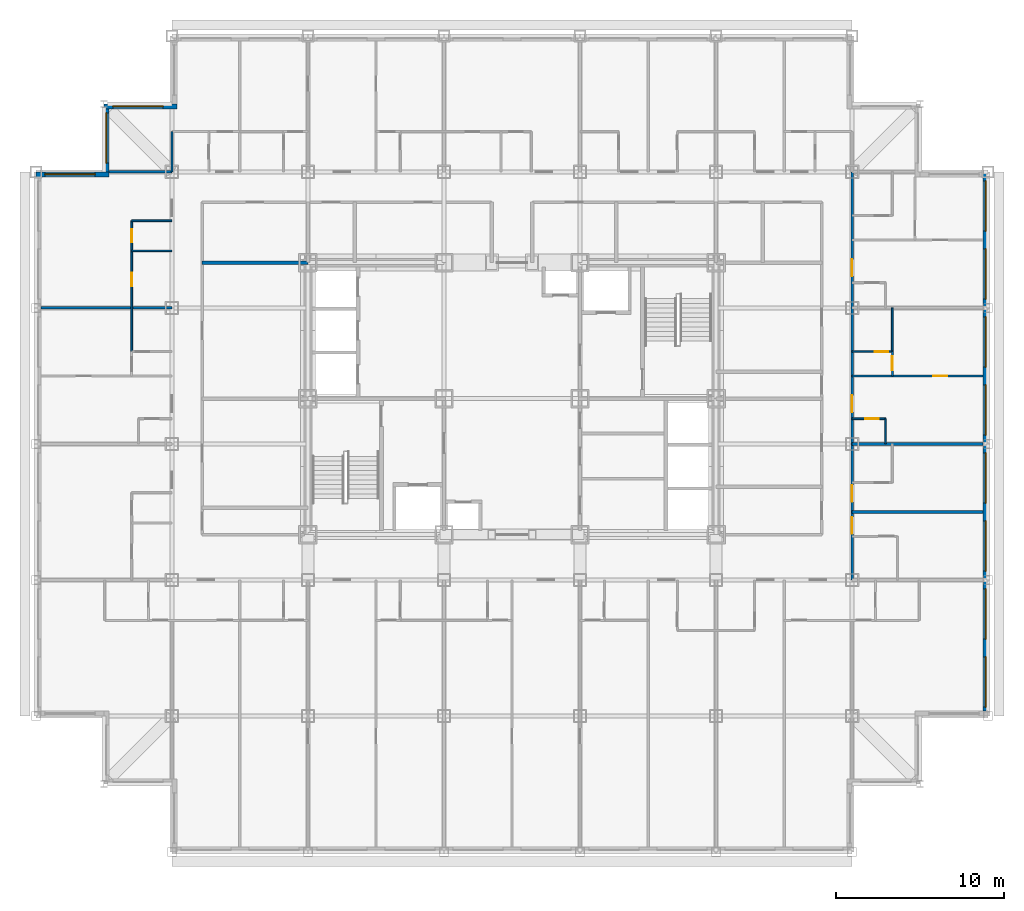
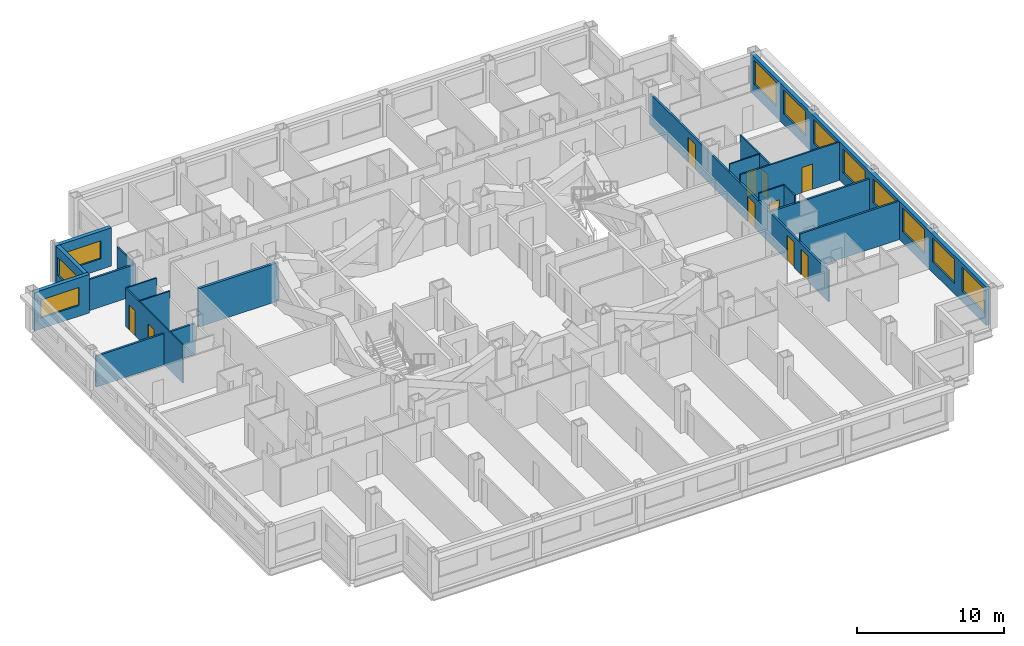
# One storey, part 8 of 13: 20 walls, 11 windows, 10 doors, 21 openings.
"""IFC4 building model written with IfcOpenShell, lengths in metres."""

import ifcopenshell
import ifcopenshell.guid

model = None  # the IFC model being written
_history = None  # IfcOwnerHistory: only IFC2X3 demands one
_inside = {}  # id of a spatial element -> (the spatial element, [elements in it])
_under = {}  # id of a project, library or spatial element -> (it, [spatial elements below it])
_declared = {}  # id of a project -> (the project, [libraries it declares])
_typed = {}  # id of a type object -> (the type object, [elements of that type])
_made_of = {}  # id of a material, layer set ... -> (it, [elements and type objects made of it])


def new_model(schema):
    """Start an empty IFC model of exactly this schema.

    Asked for "IFC4X3", IfcOpenShell would pick the latest addendum, in which some entities
    have other attributes; the version numbers below select the first issue.
    IFC2X3 requires an IfcOwnerHistory on every rooted entity: one is made here for all.
    """
    global model, _history
    if schema == "IFC4X3":
        model = ifcopenshell.file(schema_version=(4, 3, 0, 0))
    else:
        model = ifcopenshell.file(schema=schema)
    _inside.clear()
    _under.clear()
    _declared.clear()
    _typed.clear()
    _made_of.clear()
    _history = None
    if model.schema == "IFC2X3":
        org = make("IfcOrganization", Name="unknown")
        user = make(
            "IfcPersonAndOrganization",
            ThePerson=make("IfcPerson", FamilyName="unknown"),
            TheOrganization=org,
        )
        app = make(
            "IfcApplication",
            ApplicationDeveloper=org,
            Version="unknown",
            ApplicationFullName="unknown",
            ApplicationIdentifier="unknown",
        )
        _history = make(
            "IfcOwnerHistory",
            OwningUser=user,
            OwningApplication=app,
            ChangeAction="ADDED",
            CreationDate=0,
        )
    return model


def make(cls, **values):
    """One entity of the class cls with the attributes given. An attribute that is None is left unset."""
    return model.create_entity(
        cls, **{name: value for name, value in values.items() if value is not None}
    )


def rooted(cls, **values):
    """An entity with a GlobalId (a new one), such as an element, a storey or a relation."""
    return make(cls, GlobalId=ifcopenshell.guid.new(), OwnerHistory=_history, **values)


def si_unit(unit_type, name, prefix=None):
    """IfcSIUnit, for example si_unit("LENGTHUNIT", "METRE", prefix="MILLI")."""
    return make("IfcSIUnit", UnitType=unit_type, Prefix=prefix, Name=name)


def assignment(units):
    """IfcUnitAssignment: the units of a project."""
    return None if units is None else make("IfcUnitAssignment", Units=units)


def point(xyz):
    """IfcCartesianPoint."""
    return None if xyz is None else make("IfcCartesianPoint", Coordinates=xyz)


def direction(xyz):
    """IfcDirection."""
    return None if xyz is None else make("IfcDirection", DirectionRatios=xyz)


def frame(location, z_axis=None, x_axis=None):
    """IfcAxis2Placement3D, a coordinate frame: its origin and axes. An axis left out is left unset."""
    return make(
        "IfcAxis2Placement3D",
        Location=point(location),
        Axis=direction(z_axis),
        RefDirection=direction(x_axis),
    )


def frame_2d(location, x_axis=None):
    """IfcAxis2Placement2D, a coordinate frame in the plane: its origin and x axis."""
    return make(
        "IfcAxis2Placement2D", Location=point(location), RefDirection=direction(x_axis)
    )


def origin():
    """The frame at (0, 0, 0) with its axes left unset."""
    return frame((0.0, 0.0, 0.0))


def place(relative_to, where):
    """IfcLocalPlacement: puts the frame where relative to a parent placement (None: the world)."""
    return make(
        "IfcLocalPlacement", PlacementRelTo=relative_to, RelativePlacement=where
    )


def context(
    kind, dimensions, precision=None, world=None, true_north=None, identifier=None
):
    """IfcGeometricRepresentationContext, for example the 3D "Model" context."""
    return make(
        "IfcGeometricRepresentationContext",
        ContextIdentifier=identifier,
        ContextType=kind,
        CoordinateSpaceDimension=dimensions,
        Precision=precision,
        WorldCoordinateSystem=world,
        TrueNorth=true_north,
    )


def subcontext(parent, identifier, kind, view, scale=None):
    """IfcGeometricRepresentationSubContext, for example "Body" below "Model"."""
    return make(
        "IfcGeometricRepresentationSubContext",
        ContextIdentifier=identifier,
        ContextType=kind,
        ParentContext=parent,
        TargetScale=scale,
        TargetView=view,
    )


def project(units=None, contexts=None):
    """IfcProject with its units and contexts."""
    return rooted(
        "IfcProject",
        Name="project",
        RepresentationContexts=contexts,
        UnitsInContext=assignment(units),
    )


def spatial(cls, under=None, at=None, **own):
    """A site, building, storey or space (cls), placed at a placement, below another one or the project."""
    s = rooted(cls, ObjectPlacement=at, **own)
    if under is not None:
        _under.setdefault(under.id(), (under, []))[1].append(s)
    return s


def profile(cls, at=None, kind="AREA", **sizes):
    """A parametric profile (cls). Its sizes go by their IFC names, for example OverallWidth=200.0."""
    return make(cls, ProfileType=kind, Position=at, **sizes)


def rectangle(**sizes):
    """IfcRectangleProfileDef."""
    return profile("IfcRectangleProfileDef", **sizes)


def extrude(swept, where, along, depth):
    """IfcExtrudedAreaSolid: the profile swept, set in the frame where, extruded along a direction by depth."""
    return make(
        "IfcExtrudedAreaSolid",
        SweptArea=swept,
        Position=where,
        ExtrudedDirection=direction(along),
        Depth=depth,
    )


def shape(context_of_items, identifier, shape_type, items):
    """IfcShapeRepresentation: the items that make up one representation, for example the "Body"."""
    return make(
        "IfcShapeRepresentation",
        ContextOfItems=context_of_items,
        RepresentationIdentifier=identifier,
        RepresentationType=shape_type,
        Items=items,
    )


def material(Name=None, Category=None):
    """IfcMaterial."""
    return make("IfcMaterial", Name=Name, Category=Category)


def layer(
    of_material, thickness, ventilated=None, Name=None, Category=None, Priority=None
):
    """IfcMaterialLayer: one layer of a wall or slab, of a material (None: an air gap)."""
    return make(
        "IfcMaterialLayer",
        Material=of_material,
        LayerThickness=thickness,
        IsVentilated=ventilated,
        Name=Name,
        Category=Category,
        Priority=Priority,
    )


def layer_set(layers, Name=None):
    """IfcMaterialLayerSet."""
    return make("IfcMaterialLayerSet", MaterialLayers=layers, LayerSetName=Name)


def made_of(thing, what):
    """Note that an element or type object is made of a material, layer set ...; save() writes the relation."""
    if what is not None:
        _made_of.setdefault(what.id(), (what, []))[1].append(thing)
    return thing


def type_object(cls, material=None, **own):
    """A type object (cls), such as IfcWallType, which elements share."""
    return made_of(rooted(cls, **own), material)


def element(
    cls,
    number,
    at=None,
    inside=None,
    cuts=None,
    type_object=None,
    material=None,
    context=None,
    identifier="Body",
    shape_type=None,
    held_by="IfcProductDefinitionShape",
    body=None,
    shapes=None,
    **own,
):
    """One element of the class cls, such as IfcWall. Its Tag is "e" and its number.

    at: its placement. inside: the storey or other place that contains it. cuts: it is an
    opening in that element (IfcRelVoidsElement). A single representation is given by context,
    identifier, shape_type and body (its items); several are given by shapes. held_by: the class
    of the entity that holds the representations. save() writes the other relations.
    """
    e = rooted(cls, Tag="e%d" % number, ObjectPlacement=at, **own)
    if body is not None:
        shapes = [shape(context, identifier, shape_type, body)]
    if shapes is not None:
        e.Representation = make(held_by, Representations=shapes)
    if inside is not None:
        _inside.setdefault(inside.id(), (inside, []))[1].append(e)
    if cuts is not None:
        rooted(
            "IfcRelVoidsElement", RelatingBuildingElement=cuts, RelatedOpeningElement=e
        )
    if type_object is not None:
        _typed.setdefault(type_object.id(), (type_object, []))[1].append(e)
    return made_of(e, material)


def fill(opening, filler):
    """IfcRelFillsElement: the door or window that sits in an opening."""
    return rooted(
        "IfcRelFillsElement",
        RelatingOpeningElement=opening,
        RelatedBuildingElement=filler,
    )


def aggregate(whole, parts):
    """IfcRelAggregates: a whole, such as a stair, and the parts it consists of."""
    return rooted("IfcRelAggregates", RelatingObject=whole, RelatedObjects=parts)


def save(model, path):
    """Write the relations noted so far, then the file.

    IfcRelAggregates (storeys below a building ...), IfcRelContainedInSpatialStructure (elements
    in a storey), IfcRelDefinesByType, IfcRelAssociatesMaterial and IfcRelDeclares: one each for
    every whole, place, type object, material and project.
    """
    for whole, parts in _under.values():
        aggregate(whole, parts)
    for where, things in _inside.values():
        rooted(
            "IfcRelContainedInSpatialStructure",
            RelatedElements=things,
            RelatingStructure=where,
        )
    for kind, things in _typed.values():
        rooted("IfcRelDefinesByType", RelatedObjects=things, RelatingType=kind)
    for what, things in _made_of.values():
        rooted("IfcRelAssociatesMaterial", RelatedObjects=things, RelatingMaterial=what)
    for by, libraries in _declared.values():
        rooted("IfcRelDeclares", RelatingContext=by, RelatedDefinitions=libraries)
    model.write(path)


model = new_model("IFC4")

# Units and contexts
model_context = context("Model", 3, precision=1e-05, world=origin(), true_north=direction((0.0, 1.0)))
body_context = subcontext(model_context, "Body", "Model", "MODEL_VIEW")
ifc_project = project(units=[si_unit("LENGTHUNIT", "METRE"), si_unit("AREAUNIT", "SQUARE_METRE"), si_unit("VOLUMEUNIT", "CUBIC_METRE"), si_unit("PLANEANGLEUNIT", "RADIAN"), si_unit("MASSUNIT", "GRAM", prefix="KILO")], contexts=[model_context])

# Site, building, storey
site_placement = place(None, origin())
site = spatial("IfcSite", under=ifc_project, at=site_placement, CompositionType="ELEMENT")
building_placement = place(site_placement, origin())
building = spatial("IfcBuilding", under=site, at=building_placement, Name="Kopane Lantern Tower", CompositionType="ELEMENT")
storey_placement = place(building_placement, frame((0.0, 0.0, 130.60009765625)))
storey = spatial("IfcBuildingStorey", under=building, at=storey_placement, Name="L33", CompositionType="ELEMENT", Elevation=130.60009765625)

# Wall, opening, door
ifc_material_1 = material(Name="Gypsum board on steel studs", Category="steel")
ifc_layer_1 = layer(ifc_material_1, 0.1201171875)
ifc_layer_set_1 = layer_set([ifc_layer_1], Name="APARTMENT INTERNAL WALL 120")
wall_type_1 = type_object("IfcWallType", Name="APARTMENT INTERNAL WALL 120", PredefinedType="PARTITIONING", material=ifc_layer_set_1)
wall_1_placement = place(storey_placement, frame((48.60009765625, 33.75, 0.0), z_axis=(0.0, 0.0, 1.0), x_axis=(1.0, 0.0, 0.0)))
wall_1 = element("IfcWall", 1, at=wall_1_placement, inside=storey, type_object=wall_type_1, Name="Apartment Internal Wall 120 L33", PredefinedType="PARTITIONING", context=body_context, shape_type="SweptSolid", body=[
    extrude(rectangle(XDim=7.7998046875, YDim=0.1201171875, at=frame_2d((3.89990234375, 0.0))), origin(), (0.0, 0.0, 1.0), 3.18994140625),
])
opening_1_placement = place(wall_1_placement, frame((4.824951171875, 0.0, 0.0)))
opening_1 = element("IfcOpeningElement", 2, at=opening_1_placement, cuts=wall_1, Name="Opening L33-060", PredefinedType="OPENING", context=body_context, shape_type="SweptSolid", body=[
    extrude(rectangle(XDim=0.85009765625, YDim=2.10009765625, at=frame_2d((0.425048828125, 1.050048828125))), frame((0.0, 0.070068359375, 0.0), z_axis=(0.0, -1.0, 0.0), x_axis=(1.0, 0.0, 0.0)), (0.0, 0.0, 1.0), 0.14013671875),
])
ifc_material_2 = material(Name="Timber door set", Category="wood")
door_type_1 = type_object("IfcDoorType", Name="DOOR D4 850x2100", OperationType="SINGLE_SWING_LEFT", PredefinedType="DOOR", material=ifc_material_2)
door_1_placement = place(opening_1_placement, origin())
door_1 = element("IfcDoor", 3, at=door_1_placement, inside=storey, type_object=door_type_1, Name="Door L33-060", OperationType="SINGLE_SWING_LEFT", OverallHeight=2.10009765625, OverallWidth=0.85009765625, PredefinedType="DOOR", context=body_context, shape_type="SweptSolid", body=[
    extrude(rectangle(XDim=0.85009765625, YDim=2.10009765625, at=frame_2d((0.425048828125, 1.050048828125))), frame((0.0, 0.02490234375, 0.0), z_axis=(0.0, -1.0, 0.0), x_axis=(1.0, 0.0, 0.0)), (0.0, 0.0, 1.0), 0.050048828125),
])
fill(opening_1, door_1)

wall_2_placement = place(storey_placement, frame((51.0, 35.2099609375, 0.0), z_axis=(0.0, 0.0, 1.0), x_axis=(0.0, -1.0, 0.0)))
wall_2 = element("IfcWall", 4, at=wall_2_placement, inside=storey, type_object=wall_type_1, Name="Apartment Internal Wall 120 L33", PredefinedType="PARTITIONING", context=body_context, shape_type="SweptSolid", body=[
    extrude(rectangle(XDim=1.4599609375, YDim=0.1201171875, at=frame_2d((0.72998046875, 0.0))), origin(), (0.0, 0.0, 1.0), 3.18994140625),
])
opening_2_placement = place(wall_2_placement, frame((0.27490234375, 0.0, 0.0)))
opening_2 = element("IfcOpeningElement", 5, at=opening_2_placement, cuts=wall_2, Name="Opening L33-086", PredefinedType="OPENING", context=body_context, shape_type="SweptSolid", body=[
    extrude(rectangle(XDim=0.85009765625, YDim=2.10009765625, at=frame_2d((0.425048828125, 1.050048828125))), frame((0.0, 0.070068359375, 0.0), z_axis=(0.0, -1.0, 0.0), x_axis=(1.0, 0.0, 0.0)), (0.0, 0.0, 1.0), 0.14013671875),
])
door_2_placement = place(opening_2_placement, origin())
door_2 = element("IfcDoor", 6, at=door_2_placement, inside=storey, type_object=door_type_1, Name="Door L33-086", OperationType="SINGLE_SWING_RIGHT", OverallHeight=2.10009765625, OverallWidth=0.85009765625, PredefinedType="DOOR", context=body_context, shape_type="SweptSolid", body=[
    extrude(rectangle(XDim=0.85009765625, YDim=2.10009765625, at=frame_2d((0.425048828125, 1.050048828125))), frame((0.0, 0.02490234375, 0.0), z_axis=(0.0, -1.0, 0.0), x_axis=(1.0, 0.0, 0.0)), (0.0, 0.0, 1.0), 0.050048828125),
])
fill(opening_2, door_2)

# Wall, openings, doors
ifc_material_3 = material(Name="Moisture-resistant board on steel studs", Category="steel")
ifc_layer_2 = layer(ifc_material_3, 0.10009765625)
ifc_layer_set_2 = layer_set([ifc_layer_2], Name="BATHROOM WALL 100")
wall_type_2 = type_object("IfcWallType", Name="BATHROOM WALL 100", PredefinedType="PARTITIONING", material=ifc_layer_set_2)
wall_3_placement = place(storey_placement, frame((5.699951171875, 35.199951171875, 0.0), z_axis=(0.0, 0.0, 1.0), x_axis=(0.0, 1.0, 0.0)))
wall_3 = element("IfcWall", 7, at=wall_3_placement, inside=storey, type_object=wall_type_2, Name="Bathroom Wall 100 L33", PredefinedType="PARTITIONING", context=body_context, shape_type="SweptSolid", body=[
    extrude(rectangle(XDim=7.800048828125, YDim=0.10009765625, at=frame_2d((3.89990234375, 0.0))), origin(), (0.0, 0.0, 1.0), 3.18994140625),
])
opening_3_placement = place(wall_3_placement, frame((3.89990234375, 0.0, 0.0)))
opening_3 = element("IfcOpeningElement", 8, at=opening_3_placement, cuts=wall_3, Name="Opening L33-050", PredefinedType="OPENING", context=body_context, shape_type="SweptSolid", body=[
    extrude(rectangle(XDim=0.800048828125, YDim=2.10009765625, at=frame_2d((0.39990234375, 1.050048828125))), frame((0.0, 0.06005859375, 0.0), z_axis=(0.0, -1.0, 0.0), x_axis=(1.0, 0.0, 0.0)), (0.0, 0.0, 1.0), 0.1201171875),
])
opening_4_placement = place(wall_3_placement, frame((6.5, 0.0, 0.0)))
opening_4 = element("IfcOpeningElement", 9, at=opening_4_placement, cuts=wall_3, Name="Opening L33-051", PredefinedType="OPENING", context=body_context, shape_type="SweptSolid", body=[
    extrude(rectangle(XDim=0.800048828125, YDim=2.10009765625, at=frame_2d((0.39990234375, 1.050048828125))), frame((0.0, 0.06005859375, 0.0), z_axis=(0.0, -1.0, 0.0), x_axis=(1.0, 0.0, 0.0)), (0.0, 0.0, 1.0), 0.1201171875),
])
ifc_material_4 = material(Name="Timber door set", Category="wood")
door_type_2 = type_object("IfcDoorType", Name="DOOR D2 800x2100", OperationType="SINGLE_SWING_LEFT", PredefinedType="DOOR", material=ifc_material_4)
door_3_placement = place(opening_3_placement, origin())
door_3 = element("IfcDoor", 10, at=door_3_placement, inside=storey, type_object=door_type_2, Name="Door L33-050", OperationType="SINGLE_SWING_LEFT", OverallHeight=2.10009765625, OverallWidth=0.800048828125, PredefinedType="DOOR", context=body_context, shape_type="SweptSolid", body=[
    extrude(rectangle(XDim=0.800048828125, YDim=2.10009765625, at=frame_2d((0.39990234375, 1.050048828125))), frame((0.0, 0.02490234375, 0.0), z_axis=(0.0, -1.0, 0.0), x_axis=(1.0, 0.0, 0.0)), (0.0, 0.0, 1.0), 0.050048828125),
])
fill(opening_3, door_3)
door_4_placement = place(opening_4_placement, origin())
door_4 = element("IfcDoor", 11, at=door_4_placement, inside=storey, type_object=door_type_2, Name="Door L33-051", OperationType="SINGLE_SWING_LEFT", OverallHeight=2.10009765625, OverallWidth=0.800048828125, PredefinedType="DOOR", context=body_context, shape_type="SweptSolid", body=[
    extrude(rectangle(XDim=0.800048828125, YDim=2.10009765625, at=frame_2d((0.39990234375, 1.050048828125))), frame((0.0, 0.02490234375, 0.0), z_axis=(0.0, -1.0, 0.0), x_axis=(1.0, 0.0, 0.0)), (0.0, 0.0, 1.0), 0.050048828125),
])
fill(opening_4, door_4)

# Walls
for number, where, z_axis, x_axis, name in (
    (12, (8.10009765625, 41.199951171875, 0.0), (0.0, 0.0, 1.0), (-1.0, 0.0, 0.0), "Bathroom Wall 100 L33"),
    (13, (8.10009765625, 43.0, 0.0), (0.0, 0.0, 1.0), (-1.0, 0.0, 0.0), "Bathroom Wall 100 L33"),
):
    element("IfcWall", number, at=place(storey_placement, frame(where, z_axis=z_axis, x_axis=x_axis)), inside=storey, type_object=wall_type_2, Name=name, PredefinedType="PARTITIONING", context=body_context, shape_type="SweptSolid", body=[
        extrude(rectangle(XDim=2.400146484375, YDim=0.10009765625, at=frame_2d((1.2001953125, 0.0))), origin(), (0.0, 0.0, 1.0), 3.18994140625),
    ])
wall_4_placement = place(storey_placement, frame((50.60009765625, 29.699951171875, 0.0), z_axis=(0.0, 0.0, 1.0), x_axis=(0.0, 1.0, 0.0)))
element("IfcWall", 14, at=wall_4_placement, inside=storey, type_object=wall_type_2, Name="Bathroom Wall 100 L33", PredefinedType="PARTITIONING", context=body_context, shape_type="SweptSolid", body=[
    extrude(rectangle(XDim=1.5, YDim=0.10009765625, at=frame_2d((0.75, 0.0))), origin(), (0.0, 0.0, 1.0), 3.18994140625),
])

# Wall, opening, door
wall_5_placement = place(storey_placement, frame((48.60009765625, 31.199951171875, 0.0), z_axis=(0.0, 0.0, 1.0), x_axis=(1.0, 0.0, 0.0)))
wall_5 = element("IfcWall", 15, at=wall_5_placement, inside=storey, type_object=wall_type_2, Name="Bathroom Wall 100 L33", PredefinedType="PARTITIONING", context=body_context, shape_type="SweptSolid", body=[
    extrude(rectangle(XDim=2.0, YDim=0.10009765625, at=frame_2d((1.0, 0.0))), origin(), (0.0, 0.0, 1.0), 3.18994140625),
])
opening_5_placement = place(wall_5_placement, frame((0.800048828125, 0.0, 0.0)))
opening_5 = element("IfcOpeningElement", 16, at=opening_5_placement, cuts=wall_5, Name="Opening L33-057", PredefinedType="OPENING", context=body_context, shape_type="SweptSolid", body=[
    extrude(rectangle(XDim=0.800048828125, YDim=2.10009765625, at=frame_2d((0.39990234375, 1.050048828125))), frame((0.0, 0.06005859375, 0.0), z_axis=(0.0, -1.0, 0.0), x_axis=(1.0, 0.0, 0.0)), (0.0, 0.0, 1.0), 0.1201171875),
])
door_5_placement = place(opening_5_placement, origin())
door_5 = element("IfcDoor", 17, at=door_5_placement, inside=storey, type_object=door_type_2, Name="Door L33-057", OperationType="SINGLE_SWING_LEFT", OverallHeight=2.10009765625, OverallWidth=0.800048828125, PredefinedType="DOOR", context=body_context, shape_type="SweptSolid", body=[
    extrude(rectangle(XDim=0.800048828125, YDim=2.10009765625, at=frame_2d((0.39990234375, 1.050048828125))), frame((0.0, 0.02490234375, 0.0), z_axis=(0.0, -1.0, 0.0), x_axis=(1.0, 0.0, 0.0)), (0.0, 0.0, 1.0), 0.050048828125),
])
fill(opening_5, door_5)

# Wall
wall_6_placement = place(storey_placement, frame((51.0, 35.199951171875, 0.0), z_axis=(0.0, 0.0, 1.0), x_axis=(0.0, 1.0, 0.0)))
element("IfcWall", 18, at=wall_6_placement, inside=storey, type_object=wall_type_2, Name="Bathroom Wall 100 L33", PredefinedType="PARTITIONING", context=body_context, shape_type="SweptSolid", body=[
    extrude(rectangle(XDim=2.60009765625, YDim=0.10009765625, at=frame_2d((1.300048828125, 0.0))), origin(), (0.0, 0.0, 1.0), 3.18994140625),
])

# Wall, opening, door
wall_7_placement = place(storey_placement, frame((48.60009765625, 35.199951171875, 0.0), z_axis=(0.0, 0.0, 1.0), x_axis=(1.0, 0.0, 0.0)))
wall_7 = element("IfcWall", 19, at=wall_7_placement, inside=storey, type_object=wall_type_2, Name="Bathroom Wall 100 L33", PredefinedType="PARTITIONING", context=body_context, shape_type="SweptSolid", body=[
    extrude(rectangle(XDim=2.39990234375, YDim=0.10009765625, at=frame_2d((1.199951171875, 0.0))), origin(), (0.0, 0.0, 1.0), 3.18994140625),
])
opening_6_placement = place(wall_7_placement, frame((1.35009765625, 0.0, 0.0)))
opening_6 = element("IfcOpeningElement", 20, at=opening_6_placement, cuts=wall_7, Name="Opening L33-059", PredefinedType="OPENING", context=body_context, shape_type="SweptSolid", body=[
    extrude(rectangle(XDim=0.800048828125, YDim=2.10009765625, at=frame_2d((0.39990234375, 1.050048828125))), frame((0.0, 0.06005859375, 0.0), z_axis=(0.0, -1.0, 0.0), x_axis=(1.0, 0.0, 0.0)), (0.0, 0.0, 1.0), 0.1201171875),
])
door_6_placement = place(opening_6_placement, origin())
door_6 = element("IfcDoor", 21, at=door_6_placement, inside=storey, type_object=door_type_2, Name="Door L33-059", OperationType="SINGLE_SWING_LEFT", OverallHeight=2.10009765625, OverallWidth=0.800048828125, PredefinedType="DOOR", context=body_context, shape_type="SweptSolid", body=[
    extrude(rectangle(XDim=0.800048828125, YDim=2.10009765625, at=frame_2d((0.39990234375, 1.050048828125))), frame((0.0, 0.02490234375, 0.0), z_axis=(0.0, -1.0, 0.0), x_axis=(1.0, 0.0, 0.0)), (0.0, 0.0, 1.0), 0.050048828125),
])
fill(opening_6, door_6)

# Wall
wall_8_placement = place(storey_placement, frame((8.10009765625, 45.89990234375, 0.0), z_axis=(0.0, 0.0, 1.0), x_axis=(0.0, 1.0, 0.0)))
element("IfcWall", 22, at=wall_8_placement, inside=storey, type_object=wall_type_2, Name="Bathroom Wall 100 L33", PredefinedType="PARTITIONING", context=body_context, shape_type="SweptSolid", body=[
    extrude(rectangle(XDim=2.400146484375, YDim=0.10009765625, at=frame_2d((1.2001953125, 0.0))), origin(), (0.0, 0.0, 1.0), 2.57763671875),
])

# Wall, openings, doors
ifc_material_5 = material(Name="Gypsum board on steel studs", Category="steel")
ifc_layer_3 = layer(ifc_material_5, 0.14990234375)
ifc_layer_set_3 = layer_set([ifc_layer_3], Name="CORRIDOR WALL 150 EI 60")
wall_type_3 = type_object("IfcWallType", Name="CORRIDOR WALL 150 EI 60", PredefinedType="PARTITIONING", material=ifc_layer_set_3)
wall_9_placement = place(storey_placement, frame((48.60009765625, 21.60009765625, 0.0), z_axis=(0.0, 0.0, 1.0), x_axis=(0.0, 1.0, 0.0)))
wall_9 = element("IfcWall", 23, at=wall_9_placement, inside=storey, type_object=wall_type_3, Name="Corridor Wall 150 Ei 60 L33", PredefinedType="PARTITIONING", context=body_context, shape_type="SweptSolid", body=[
    extrude(rectangle(XDim=24.2998046875, YDim=0.14990234375, at=frame_2d((12.14990234375, 0.0))), origin(), (0.0, 0.0, 1.0), 2.57763671875),
])
opening_7_placement = place(wall_9_placement, frame((2.75, 0.0, 0.0)))
opening_7 = element("IfcOpeningElement", 24, at=opening_7_placement, cuts=wall_9, Name="Opening L33-054", PredefinedType="OPENING", context=body_context, shape_type="SweptSolid", body=[
    extrude(rectangle(XDim=1.0, YDim=2.10009765625, at=frame_2d((0.5, 1.050048828125))), frame((0.0, 0.0849609375, 0.0), z_axis=(0.0, -1.0, 0.0), x_axis=(1.0, 0.0, 0.0)), (0.0, 0.0, 1.0), 0.169921875),
])
opening_8_placement = place(wall_9_placement, frame((4.64990234375, 0.0, 0.0)))
opening_8 = element("IfcOpeningElement", 25, at=opening_8_placement, cuts=wall_9, Name="Opening L33-056", PredefinedType="OPENING", context=body_context, shape_type="SweptSolid", body=[
    extrude(rectangle(XDim=1.0, YDim=2.10009765625, at=frame_2d((0.5, 1.050048828125))), frame((0.0, 0.0849609375, 0.0), z_axis=(0.0, -1.0, 0.0), x_axis=(1.0, 0.0, 0.0)), (0.0, 0.0, 1.0), 0.169921875),
])
opening_9_placement = place(wall_9_placement, frame((10.0, 0.0, 0.0)))
opening_9 = element("IfcOpeningElement", 26, at=opening_9_placement, cuts=wall_9, Name="Opening L33-058", PredefinedType="OPENING", context=body_context, shape_type="SweptSolid", body=[
    extrude(rectangle(XDim=1.0, YDim=2.10009765625, at=frame_2d((0.5, 1.050048828125))), frame((0.0, 0.0849609375, 0.0), z_axis=(0.0, -1.0, 0.0), x_axis=(1.0, 0.0, 0.0)), (0.0, 0.0, 1.0), 0.169921875),
])
opening_10_placement = place(wall_9_placement, frame((18.10009765625, 0.0, 0.0)))
opening_10 = element("IfcOpeningElement", 27, at=opening_10_placement, cuts=wall_9, Name="Opening L33-062", PredefinedType="OPENING", context=body_context, shape_type="SweptSolid", body=[
    extrude(rectangle(XDim=1.0, YDim=2.10009765625, at=frame_2d((0.5, 1.050048828125))), frame((0.0, 0.0849609375, 0.0), z_axis=(0.0, -1.0, 0.0), x_axis=(1.0, 0.0, 0.0)), (0.0, 0.0, 1.0), 0.169921875),
])
ifc_material_6 = material(Name="Steel door set", Category="steel")
door_type_3 = type_object("IfcDoorType", Name="DOOR D1 1000x2100 FD30S", OperationType="SINGLE_SWING_LEFT", PredefinedType="DOOR", material=ifc_material_6)
door_7_placement = place(opening_7_placement, origin())
door_7 = element("IfcDoor", 28, at=door_7_placement, inside=storey, type_object=door_type_3, Name="Door L33-054", OperationType="SINGLE_SWING_RIGHT", OverallHeight=2.10009765625, OverallWidth=1.0, PredefinedType="DOOR", context=body_context, shape_type="SweptSolid", body=[
    extrude(rectangle(XDim=1.0, YDim=2.10009765625, at=frame_2d((0.5, 1.050048828125))), frame((0.0, 0.02490234375, 0.0), z_axis=(0.0, -1.0, 0.0), x_axis=(1.0, 0.0, 0.0)), (0.0, 0.0, 1.0), 0.050048828125),
])
fill(opening_7, door_7)
door_8_placement = place(opening_8_placement, origin())
door_8 = element("IfcDoor", 29, at=door_8_placement, inside=storey, type_object=door_type_3, Name="Door L33-056", OperationType="SINGLE_SWING_LEFT", OverallHeight=2.10009765625, OverallWidth=1.0, PredefinedType="DOOR", context=body_context, shape_type="SweptSolid", body=[
    extrude(rectangle(XDim=1.0, YDim=2.10009765625, at=frame_2d((0.5, 1.050048828125))), frame((0.0, 0.02490234375, 0.0), z_axis=(0.0, -1.0, 0.0), x_axis=(1.0, 0.0, 0.0)), (0.0, 0.0, 1.0), 0.050048828125),
])
fill(opening_8, door_8)
door_9_placement = place(opening_9_placement, origin())
door_9 = element("IfcDoor", 30, at=door_9_placement, inside=storey, type_object=door_type_3, Name="Door L33-058", OperationType="SINGLE_SWING_RIGHT", OverallHeight=2.10009765625, OverallWidth=1.0, PredefinedType="DOOR", context=body_context, shape_type="SweptSolid", body=[
    extrude(rectangle(XDim=1.0, YDim=2.10009765625, at=frame_2d((0.5, 1.050048828125))), frame((0.0, 0.02490234375, 0.0), z_axis=(0.0, -1.0, 0.0), x_axis=(1.0, 0.0, 0.0)), (0.0, 0.0, 1.0), 0.050048828125),
])
fill(opening_9, door_9)
door_10_placement = place(opening_10_placement, origin())
door_10 = element("IfcDoor", 31, at=door_10_placement, inside=storey, type_object=door_type_3, Name="Door L33-062", OperationType="SINGLE_SWING_RIGHT", OverallHeight=2.10009765625, OverallWidth=1.0, PredefinedType="DOOR", context=body_context, shape_type="SweptSolid", body=[
    extrude(rectangle(XDim=1.0, YDim=2.10009765625, at=frame_2d((0.5, 1.050048828125))), frame((0.0, 0.02490234375, 0.0), z_axis=(0.0, -1.0, 0.0), x_axis=(1.0, 0.0, 0.0)), (0.0, 0.0, 1.0), 0.050048828125),
])
fill(opening_10, door_10)

# Walls
ifc_material_7 = material(Name="Gypsum board on steel studs", Category="steel")
ifc_layer_4 = layer(ifc_material_7, 0.14990234375)
ifc_layer_set_4 = layer_set([ifc_layer_4], Name="DEMISING WALL 150 EI 60")
wall_type_4 = type_object("IfcWallType", Name="DEMISING WALL 150 EI 60", PredefinedType="PARTITIONING", material=ifc_layer_set_4)
wall_10_placement = place(storey_placement, frame((8.10009765625, 37.800048828125, 0.0), z_axis=(0.0, 0.0, 1.0), x_axis=(-1.0, 0.0, 0.0)))
element("IfcWall", 32, at=wall_10_placement, inside=storey, type_object=wall_type_4, Name="Demising Wall 150 Ei 60 L33", PredefinedType="PARTITIONING", context=body_context, shape_type="SweptSolid", body=[
    extrude(rectangle(XDim=7.800048828125, YDim=0.14990234375, at=frame_2d((3.89990234375, 0.0))), origin(), (0.0, 0.0, 1.0), 2.57763671875),
])
wall_11_placement = place(storey_placement, frame((48.60009765625, 25.64990234375, 0.0), z_axis=(0.0, 0.0, 1.0), x_axis=(1.0, 0.0, 0.0)))
element("IfcWall", 33, at=wall_11_placement, inside=storey, type_object=wall_type_4, Name="Demising Wall 150 Ei 60 L33", PredefinedType="PARTITIONING", context=body_context, shape_type="SweptSolid", body=[
    extrude(rectangle(XDim=7.7998046875, YDim=0.14990234375, at=frame_2d((3.89990234375, 0.0))), origin(), (0.0, 0.0, 1.0), 3.18994140625),
])
wall_12_placement = place(storey_placement, frame((48.60009765625, 29.699951171875, 0.0), z_axis=(0.0, 0.0, 1.0), x_axis=(1.0, 0.0, 0.0)))
element("IfcWall", 34, at=wall_12_placement, inside=storey, type_object=wall_type_4, Name="Demising Wall 150 Ei 60 L33", PredefinedType="PARTITIONING", context=body_context, shape_type="SweptSolid", body=[
    extrude(rectangle(XDim=7.7998046875, YDim=0.14990234375, at=frame_2d((3.89990234375, 0.0))), origin(), (0.0, 0.0, 1.0), 2.57763671875),
])
wall_13_placement = place(storey_placement, frame((4.35009765625, 45.89990234375, 0.0), z_axis=(0.0, 0.0, 1.0), x_axis=(1.0, 0.0, 0.0)))
element("IfcWall", 35, at=wall_13_placement, inside=storey, type_object=wall_type_4, Name="Demising Wall 150 Ei 60 L33", PredefinedType="PARTITIONING", context=body_context, shape_type="SweptSolid", body=[
    extrude(rectangle(XDim=3.75, YDim=0.14990234375, at=frame_2d((1.875, 0.0))), origin(), (0.0, 0.0, 1.0), 2.57763671875),
])

# Wall, openings, windows
ifc_material_8 = material(Name="Terracotta rainscreen on light steel framing", Category="masonry")
ifc_layer_5 = layer(ifc_material_8, 0.300048828125)
ifc_layer_set_5 = layer_set([ifc_layer_5], Name="EXTERNAL WALL EW1 300 TERRACOTTA")
wall_type_5 = type_object("IfcWallType", Name="EXTERNAL WALL EW1 300 TERRACOTTA", PredefinedType="SOLIDWALL", material=ifc_layer_set_5)
wall_14_placement = place(storey_placement, frame((56.550048828125, 13.800048828125, 0.0), z_axis=(0.0, 0.0, 1.0), x_axis=(0.0, 1.0, 0.0)))
wall_14 = element("IfcWall", 36, at=wall_14_placement, inside=storey, type_object=wall_type_5, Name="External wall E L33", PredefinedType="SOLIDWALL", context=body_context, shape_type="SweptSolid", body=[
    extrude(rectangle(XDim=32.099853515625, YDim=0.300048828125, at=frame_2d((16.0498046875, 0.0))), origin(), (0.0, 0.0, 1.0), 3.18994140625),
])
opening_11_placement = place(wall_14_placement, frame((0.22509765625, 0.0, 0.89990234375)))
opening_11 = element("IfcOpeningElement", 37, at=opening_11_placement, cuts=wall_14, Name="Opening WR300200", PredefinedType="OPENING", context=body_context, shape_type="SweptSolid", body=[
    extrude(rectangle(XDim=3.0, YDim=2.0, at=frame_2d((1.5, 1.0))), frame((0.0, 0.159912109375, 0.0), z_axis=(0.0, -1.0, 0.0), x_axis=(1.0, 0.0, 0.0)), (0.0, 0.0, 1.0), 0.320068359375),
])
opening_12_placement = place(wall_14_placement, frame((4.27490234375, 0.0, 0.89990234375)))
opening_12 = element("IfcOpeningElement", 38, at=opening_12_placement, cuts=wall_14, Name="Opening WR300200", PredefinedType="OPENING", context=body_context, shape_type="SweptSolid", body=[
    extrude(rectangle(XDim=3.0, YDim=2.0, at=frame_2d((1.5, 1.0))), frame((0.0, 0.159912109375, 0.0), z_axis=(0.0, -1.0, 0.0), x_axis=(1.0, 0.0, 0.0)), (0.0, 0.0, 1.0), 0.320068359375),
])
opening_13_placement = place(wall_14_placement, frame((8.324951171875, 0.0, 0.89990234375)))
opening_13 = element("IfcOpeningElement", 39, at=opening_13_placement, cuts=wall_14, Name="Opening WR300200", PredefinedType="OPENING", context=body_context, shape_type="SweptSolid", body=[
    extrude(rectangle(XDim=3.0, YDim=2.0, at=frame_2d((1.5, 1.0))), frame((0.0, 0.159912109375, 0.0), z_axis=(0.0, -1.0, 0.0), x_axis=(1.0, 0.0, 0.0)), (0.0, 0.0, 1.0), 0.320068359375),
])
opening_14_placement = place(wall_14_placement, frame((12.375, 0.0, 0.89990234375)))
opening_14 = element("IfcOpeningElement", 40, at=opening_14_placement, cuts=wall_14, Name="Opening WR300200", PredefinedType="OPENING", context=body_context, shape_type="SweptSolid", body=[
    extrude(rectangle(XDim=3.0, YDim=2.0, at=frame_2d((1.5, 1.0))), frame((0.0, 0.159912109375, 0.0), z_axis=(0.0, -1.0, 0.0), x_axis=(1.0, 0.0, 0.0)), (0.0, 0.0, 1.0), 0.320068359375),
])
opening_15_placement = place(wall_14_placement, frame((16.425048828125, 0.0, 0.89990234375)))
opening_15 = element("IfcOpeningElement", 41, at=opening_15_placement, cuts=wall_14, Name="Opening WR300200", PredefinedType="OPENING", context=body_context, shape_type="SweptSolid", body=[
    extrude(rectangle(XDim=3.0, YDim=2.0, at=frame_2d((1.5, 1.0))), frame((0.0, 0.159912109375, 0.0), z_axis=(0.0, -1.0, 0.0), x_axis=(1.0, 0.0, 0.0)), (0.0, 0.0, 1.0), 0.320068359375),
])
opening_16_placement = place(wall_14_placement, frame((20.47509765625, 0.0, 0.89990234375)))
opening_16 = element("IfcOpeningElement", 42, at=opening_16_placement, cuts=wall_14, Name="Opening WR300200", PredefinedType="OPENING", context=body_context, shape_type="SweptSolid", body=[
    extrude(rectangle(XDim=3.0, YDim=2.0, at=frame_2d((1.5, 1.0))), frame((0.0, 0.159912109375, 0.0), z_axis=(0.0, -1.0, 0.0), x_axis=(1.0, 0.0, 0.0)), (0.0, 0.0, 1.0), 0.320068359375),
])
opening_17_placement = place(wall_14_placement, frame((24.52490234375, 0.0, 0.89990234375)))
opening_17 = element("IfcOpeningElement", 43, at=opening_17_placement, cuts=wall_14, Name="Opening WR300200", PredefinedType="OPENING", context=body_context, shape_type="SweptSolid", body=[
    extrude(rectangle(XDim=3.0, YDim=2.0, at=frame_2d((1.5, 1.0))), frame((0.0, 0.159912109375, 0.0), z_axis=(0.0, -1.0, 0.0), x_axis=(1.0, 0.0, 0.0)), (0.0, 0.0, 1.0), 0.320068359375),
])
opening_18_placement = place(wall_14_placement, frame((28.574951171875, 0.0, 0.89990234375)))
opening_18 = element("IfcOpeningElement", 44, at=opening_18_placement, cuts=wall_14, Name="Opening WR300200", PredefinedType="OPENING", context=body_context, shape_type="SweptSolid", body=[
    extrude(rectangle(XDim=3.0, YDim=2.0, at=frame_2d((1.5, 1.0))), frame((0.0, 0.159912109375, 0.0), z_axis=(0.0, -1.0, 0.0), x_axis=(1.0, 0.0, 0.0)), (0.0, 0.0, 1.0), 0.320068359375),
])
ifc_material_9 = material(Name="Aluminium and clear glass", Category="aluminium")
window_type_1 = type_object("IfcWindowType", Name="RIBBON WINDOW WR300200 3000x2000", PartitioningType="SINGLE_PANEL", PredefinedType="WINDOW", material=ifc_material_9)
window_1_placement = place(opening_11_placement, origin())
window_1 = element("IfcWindow", 45, at=window_1_placement, inside=storey, type_object=window_type_1, Name="Window E L33", OverallHeight=2.0, OverallWidth=3.0, PartitioningType="SINGLE_PANEL", PredefinedType="WINDOW", context=body_context, shape_type="SweptSolid", body=[
    extrude(rectangle(XDim=3.0, YDim=2.0, at=frame_2d((1.5, 1.0))), frame((0.0, 0.030029296875, 0.0), z_axis=(0.0, -1.0, 0.0), x_axis=(1.0, 0.0, 0.0)), (0.0, 0.0, 1.0), 0.06005859375),
])
fill(opening_11, window_1)
window_2_placement = place(opening_12_placement, origin())
window_2 = element("IfcWindow", 46, at=window_2_placement, inside=storey, type_object=window_type_1, Name="Window E L33", OverallHeight=2.0, OverallWidth=3.0, PartitioningType="SINGLE_PANEL", PredefinedType="WINDOW", context=body_context, shape_type="SweptSolid", body=[
    extrude(rectangle(XDim=3.0, YDim=2.0, at=frame_2d((1.5, 1.0))), frame((0.0, 0.030029296875, 0.0), z_axis=(0.0, -1.0, 0.0), x_axis=(1.0, 0.0, 0.0)), (0.0, 0.0, 1.0), 0.06005859375),
])
fill(opening_12, window_2)
window_3_placement = place(opening_13_placement, origin())
window_3 = element("IfcWindow", 47, at=window_3_placement, inside=storey, type_object=window_type_1, Name="Window E L33", OverallHeight=2.0, OverallWidth=3.0, PartitioningType="SINGLE_PANEL", PredefinedType="WINDOW", context=body_context, shape_type="SweptSolid", body=[
    extrude(rectangle(XDim=3.0, YDim=2.0, at=frame_2d((1.5, 1.0))), frame((0.0, 0.030029296875, 0.0), z_axis=(0.0, -1.0, 0.0), x_axis=(1.0, 0.0, 0.0)), (0.0, 0.0, 1.0), 0.06005859375),
])
fill(opening_13, window_3)
window_4_placement = place(opening_14_placement, origin())
window_4 = element("IfcWindow", 48, at=window_4_placement, inside=storey, type_object=window_type_1, Name="Window E L33", OverallHeight=2.0, OverallWidth=3.0, PartitioningType="SINGLE_PANEL", PredefinedType="WINDOW", context=body_context, shape_type="SweptSolid", body=[
    extrude(rectangle(XDim=3.0, YDim=2.0, at=frame_2d((1.5, 1.0))), frame((0.0, 0.030029296875, 0.0), z_axis=(0.0, -1.0, 0.0), x_axis=(1.0, 0.0, 0.0)), (0.0, 0.0, 1.0), 0.06005859375),
])
fill(opening_14, window_4)
window_5_placement = place(opening_15_placement, origin())
window_5 = element("IfcWindow", 49, at=window_5_placement, inside=storey, type_object=window_type_1, Name="Window E L33", OverallHeight=2.0, OverallWidth=3.0, PartitioningType="SINGLE_PANEL", PredefinedType="WINDOW", context=body_context, shape_type="SweptSolid", body=[
    extrude(rectangle(XDim=3.0, YDim=2.0, at=frame_2d((1.5, 1.0))), frame((0.0, 0.030029296875, 0.0), z_axis=(0.0, -1.0, 0.0), x_axis=(1.0, 0.0, 0.0)), (0.0, 0.0, 1.0), 0.06005859375),
])
fill(opening_15, window_5)
window_6_placement = place(opening_16_placement, origin())
window_6 = element("IfcWindow", 50, at=window_6_placement, inside=storey, type_object=window_type_1, Name="Window E L33", OverallHeight=2.0, OverallWidth=3.0, PartitioningType="SINGLE_PANEL", PredefinedType="WINDOW", context=body_context, shape_type="SweptSolid", body=[
    extrude(rectangle(XDim=3.0, YDim=2.0, at=frame_2d((1.5, 1.0))), frame((0.0, 0.030029296875, 0.0), z_axis=(0.0, -1.0, 0.0), x_axis=(1.0, 0.0, 0.0)), (0.0, 0.0, 1.0), 0.06005859375),
])
fill(opening_16, window_6)
window_7_placement = place(opening_17_placement, origin())
window_7 = element("IfcWindow", 51, at=window_7_placement, inside=storey, type_object=window_type_1, Name="Window E L33", OverallHeight=2.0, OverallWidth=3.0, PartitioningType="SINGLE_PANEL", PredefinedType="WINDOW", context=body_context, shape_type="SweptSolid", body=[
    extrude(rectangle(XDim=3.0, YDim=2.0, at=frame_2d((1.5, 1.0))), frame((0.0, 0.030029296875, 0.0), z_axis=(0.0, -1.0, 0.0), x_axis=(1.0, 0.0, 0.0)), (0.0, 0.0, 1.0), 0.06005859375),
])
fill(opening_17, window_7)
window_8_placement = place(opening_18_placement, origin())
window_8 = element("IfcWindow", 52, at=window_8_placement, inside=storey, type_object=window_type_1, Name="Window E L33", OverallHeight=2.0, OverallWidth=3.0, PartitioningType="SINGLE_PANEL", PredefinedType="WINDOW", context=body_context, shape_type="SweptSolid", body=[
    extrude(rectangle(XDim=3.0, YDim=2.0, at=frame_2d((1.5, 1.0))), frame((0.0, 0.030029296875, 0.0), z_axis=(0.0, -1.0, 0.0), x_axis=(1.0, 0.0, 0.0)), (0.0, 0.0, 1.0), 0.06005859375),
])
fill(opening_18, window_8)

# Wall, opening, window
wall_15_placement = place(storey_placement, frame((8.39990234375, 49.800048828125, 0.0), z_axis=(0.0, 0.0, 1.0), x_axis=(-1.0, 0.0, 0.0)))
wall_15 = element("IfcWall", 53, at=wall_15_placement, inside=storey, type_object=wall_type_5, Name="External wall N L33", PredefinedType="SOLIDWALL", context=body_context, shape_type="SweptSolid", body=[
    extrude(rectangle(XDim=4.349853515625, YDim=0.300048828125, at=frame_2d((2.1748046875, 0.0))), origin(), (0.0, 0.0, 1.0), 3.18994140625),
])
opening_19_placement = place(wall_15_placement, frame((0.824951171875, 0.0, 0.89990234375)))
opening_19 = element("IfcOpeningElement", 54, at=opening_19_placement, cuts=wall_15, Name="Opening WR300150", PredefinedType="OPENING", context=body_context, shape_type="SweptSolid", body=[
    extrude(rectangle(XDim=3.0, YDim=1.5, at=frame_2d((1.5, 0.75))), frame((0.0, 0.159912109375, 0.0), z_axis=(0.0, -1.0, 0.0), x_axis=(1.0, 0.0, 0.0)), (0.0, 0.0, 1.0), 0.320068359375),
])
ifc_material_10 = material(Name="Aluminium and clear glass", Category="aluminium")
window_type_2 = type_object("IfcWindowType", Name="RIBBON WINDOW WR300150 3000x1500", PartitioningType="SINGLE_PANEL", PredefinedType="WINDOW", material=ifc_material_10)
window_9_placement = place(opening_19_placement, origin())
window_9 = element("IfcWindow", 55, at=window_9_placement, inside=storey, type_object=window_type_2, Name="Window N L33", OverallHeight=1.5, OverallWidth=3.0, PartitioningType="SINGLE_PANEL", PredefinedType="WINDOW", context=body_context, shape_type="SweptSolid", body=[
    extrude(rectangle(XDim=3.0, YDim=1.5, at=frame_2d((1.5, 0.75))), frame((0.0, 0.030029296875, 0.0), z_axis=(0.0, -1.0, 0.0), x_axis=(1.0, 0.0, 0.0)), (0.0, 0.0, 1.0), 0.06005859375),
])
fill(opening_19, window_9)

wall_16_placement = place(storey_placement, frame((4.199951171875, 49.64990234375, 0.0), z_axis=(0.0, 0.0, 1.0), x_axis=(0.0, -1.0, 0.0)))
wall_16 = element("IfcWall", 56, at=wall_16_placement, inside=storey, type_object=wall_type_5, Name="External wall W L33", PredefinedType="SOLIDWALL", context=body_context, shape_type="SweptSolid", body=[
    extrude(rectangle(XDim=3.75, YDim=0.300048828125, at=frame_2d((1.875, 0.0))), origin(), (0.0, 0.0, 1.0), 3.18994140625),
])
opening_20_placement = place(wall_16_placement, frame((0.22509765625, 0.0, 0.89990234375)))
opening_20 = element("IfcOpeningElement", 57, at=opening_20_placement, cuts=wall_16, Name="Opening WR300150", PredefinedType="OPENING", context=body_context, shape_type="SweptSolid", body=[
    extrude(rectangle(XDim=3.0, YDim=1.5, at=frame_2d((1.5, 0.75))), frame((0.0, 0.159912109375, 0.0), z_axis=(0.0, -1.0, 0.0), x_axis=(1.0, 0.0, 0.0)), (0.0, 0.0, 1.0), 0.320068359375),
])
window_10_placement = place(opening_20_placement, origin())
window_10 = element("IfcWindow", 58, at=window_10_placement, inside=storey, type_object=window_type_2, Name="Window W L33", OverallHeight=1.5, OverallWidth=3.0, PartitioningType="SINGLE_PANEL", PredefinedType="WINDOW", context=body_context, shape_type="SweptSolid", body=[
    extrude(rectangle(XDim=3.0, YDim=1.5, at=frame_2d((1.5, 0.75))), frame((0.0, 0.030029296875, 0.0), z_axis=(0.0, -1.0, 0.0), x_axis=(1.0, 0.0, 0.0)), (0.0, 0.0, 1.0), 0.06005859375),
])
fill(opening_20, window_10)

wall_17_placement = place(storey_placement, frame((4.35009765625, 45.75, 0.0), z_axis=(0.0, 0.0, 1.0), x_axis=(-1.0, 0.0, 0.0)))
wall_17 = element("IfcWall", 59, at=wall_17_placement, inside=storey, type_object=wall_type_5, Name="External wall N L33", PredefinedType="SOLIDWALL", context=body_context, shape_type="SweptSolid", body=[
    extrude(rectangle(XDim=4.35009765625, YDim=0.300048828125, at=frame_2d((2.175048828125, 0.0))), origin(), (0.0, 0.0, 1.0), 3.18994140625),
])
opening_21_placement = place(wall_17_placement, frame((0.824951171875, 0.0, 0.89990234375)))
opening_21 = element("IfcOpeningElement", 60, at=opening_21_placement, cuts=wall_17, Name="Opening WR300150", PredefinedType="OPENING", context=body_context, shape_type="SweptSolid", body=[
    extrude(rectangle(XDim=3.0, YDim=1.5, at=frame_2d((1.5, 0.75))), frame((0.0, 0.159912109375, 0.0), z_axis=(0.0, -1.0, 0.0), x_axis=(1.0, 0.0, 0.0)), (0.0, 0.0, 1.0), 0.320068359375),
])
window_11_placement = place(opening_21_placement, origin())
window_11 = element("IfcWindow", 61, at=window_11_placement, inside=storey, type_object=window_type_2, Name="Window N L33", OverallHeight=1.5, OverallWidth=3.0, PartitioningType="SINGLE_PANEL", PredefinedType="WINDOW", context=body_context, shape_type="SweptSolid", body=[
    extrude(rectangle(XDim=3.0, YDim=1.5, at=frame_2d((1.5, 0.75))), frame((0.0, 0.030029296875, 0.0), z_axis=(0.0, -1.0, 0.0), x_axis=(1.0, 0.0, 0.0)), (0.0, 0.0, 1.0), 0.06005859375),
])
fill(opening_21, window_11)

# Wall
ifc_material_11 = material(Name="Concrete masonry", Category="masonry")
ifc_layer_6 = layer(ifc_material_11, 0.199951171875)
ifc_layer_set_6 = layer_set([ifc_layer_6], Name="PLANT ROOM WALL 200 EI 120")
wall_type_6 = type_object("IfcWallType", Name="PLANT ROOM WALL 200 EI 120", PredefinedType="SOLIDWALL", material=ifc_layer_set_6)
wall_18_placement = place(storey_placement, frame((9.89990234375, 40.5, 0.0), z_axis=(0.0, 0.0, 1.0), x_axis=(1.0, 0.0, 0.0)))
element("IfcWall", 62, at=wall_18_placement, inside=storey, type_object=wall_type_6, Name="Plant Room Wall 200 Ei 120 L33", PredefinedType="SOLIDWALL", context=body_context, shape_type="SweptSolid", body=[
    extrude(rectangle(XDim=6.300048828125, YDim=0.199951171875, at=frame_2d((3.14990234375, 0.0))), origin(), (0.0, 0.0, 1.0), 3.18994140625),
])

save(model, "model.ifc")
